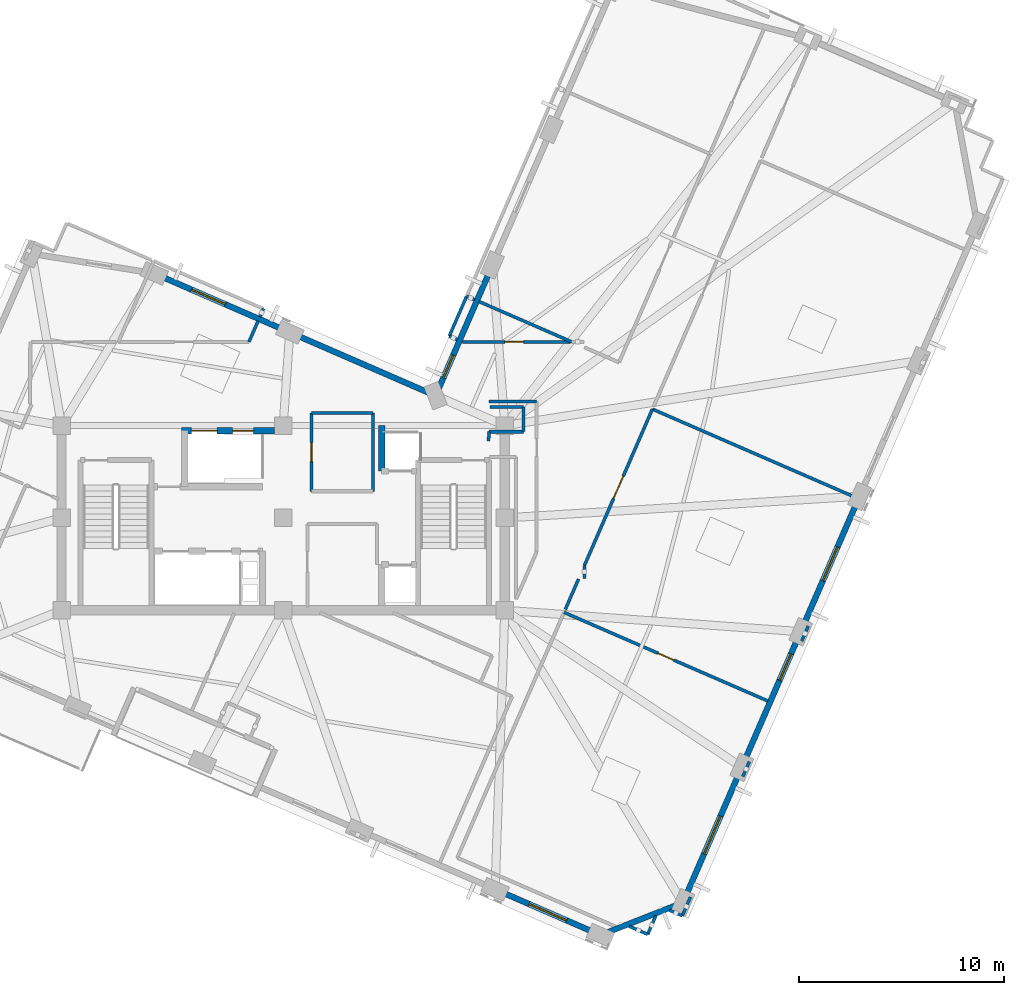
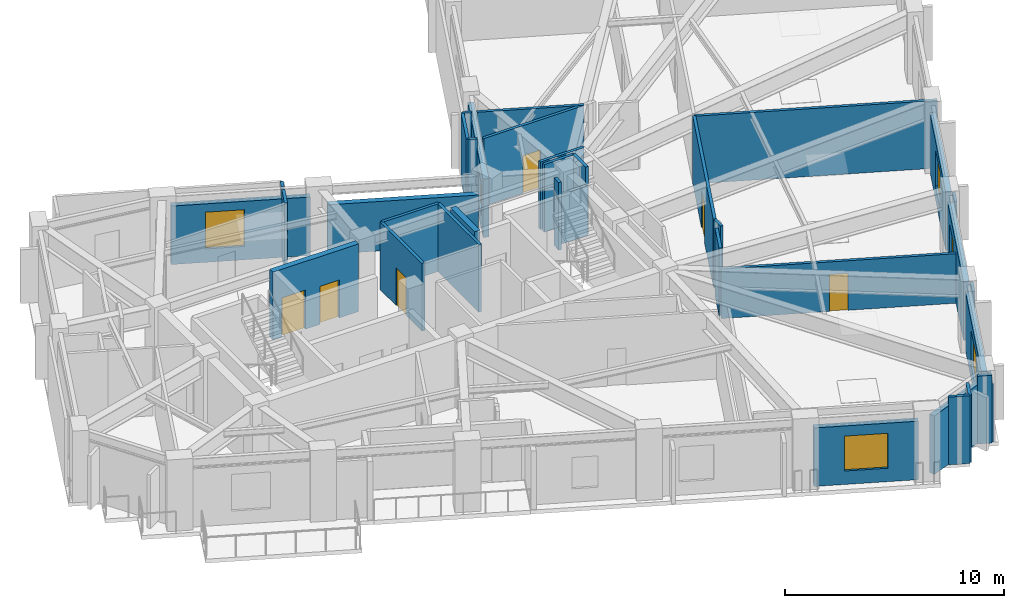
# One storey, part 6 of 12: 36 walls, 6 doors, 6 windows, 12 openings.
"""IFC4 building model written with IfcOpenShell, lengths in metres."""

from ifc_helpers import new_model, si_unit, direction, frame, frame_2d, origin, place, context, subcontext, project, spatial, rectangle, extrude, material, layer, layer_set, type_object, element, fill, save


model = new_model("IFC4")

# Units and contexts
model_context = context("Model", 3, precision=1e-05, world=origin(), true_north=direction((0.0, 1.0)))
body_context = subcontext(model_context, "Body", "Model", "MODEL_VIEW")
ifc_project = project(units=[si_unit("LENGTHUNIT", "METRE"), si_unit("AREAUNIT", "SQUARE_METRE"), si_unit("VOLUMEUNIT", "CUBIC_METRE"), si_unit("PLANEANGLEUNIT", "RADIAN"), si_unit("MASSUNIT", "GRAM", prefix="KILO")], contexts=[model_context])

# Site, building, storey
site_placement = place(None, origin())
site = spatial("IfcSite", under=ifc_project, at=site_placement, CompositionType="ELEMENT")
building_placement = place(site_placement, origin())
building = spatial("IfcBuilding", under=site, at=building_placement, Name="Gaonmaruhae Medical Tower", CompositionType="ELEMENT")
storey_placement = place(building_placement, frame((0.0, 0.0, 312.60009765625)))
storey = spatial("IfcBuildingStorey", under=building, at=storey_placement, Name="L75", CompositionType="ELEMENT", Elevation=312.60009765625)

# Wall, opening, window
ifc_material_1 = material(Name="Precast concrete C45/55", Category="concrete")
ifc_layer_1 = layer(ifc_material_1, 0.280029296875)
ifc_layer_set_1 = layer_set([ifc_layer_1], Name="Precast concrete C45/55")
wall_type_1 = type_object("IfcWallType", Name="EW-280 Upper Precast Masonry-Frame Facade Wall", PredefinedType="SOLIDWALL", material=ifc_layer_set_1)
wall_1_placement = place(storey_placement, frame((46.987548828125, -0.210205078125, 0.0), z_axis=(0.0, 0.0, 1.0), x_axis=(-0.398744230651, -0.917062178112, 0.0)))
wall_1 = element("IfcWall", 1, at=wall_1_placement, inside=storey, type_object=wall_type_1, Name="L75 Precast Masonry-Frame Wall S01-S02", PredefinedType="SOLIDWALL", context=body_context, shape_type="SweptSolid", body=[
    extrude(rectangle(XDim=6.405029296875, YDim=0.280029296875, at=frame_2d((3.20263671875, 0.0))), origin(), (0.0, 0.0, 1.0), 3.264892578125),
])
opening_1_placement = place(wall_1_placement, frame((2.202392578125, 0.0, 0.75)))
opening_1 = element("IfcOpeningElement", 2, at=opening_1_placement, cuts=wall_1, Name="Opening WN-02", PredefinedType="OPENING", context=body_context, shape_type="SweptSolid", body=[
    extrude(rectangle(XDim=2.0, YDim=1.949951171875, at=frame_2d((1.0, 0.97509765625))), frame((0.0, 0.14990234375, 0.0), z_axis=(0.0, -1.0, 0.0), x_axis=(1.0, 0.0, 0.0)), (0.0, 0.0, 1.0), 0.300048828125),
])
ifc_material_2 = material(Name="Anodised aluminium and Low-E double glazing", Category="aluminium")
window_type_1 = type_object("IfcWindowType", Name="WN-02 Double-Bed Ward Punched Window 2000x1950", PartitioningType="SINGLE_PANEL", PredefinedType="WINDOW", material=ifc_material_2)
window_1_placement = place(opening_1_placement, origin())
window_1 = element("IfcWindow", 3, at=window_1_placement, inside=storey, type_object=window_type_1, Name="L75 Modular Facade Window S01", OverallHeight=1.949951171875, OverallWidth=2.0, PartitioningType="SINGLE_PANEL", PredefinedType="WINDOW", context=body_context, shape_type="SweptSolid", body=[
    extrude(rectangle(XDim=2.0, YDim=1.949951171875, at=frame_2d((1.0, 0.97509765625))), frame((0.0, 0.030029296875, 0.0), z_axis=(0.0, -1.0, 0.0), x_axis=(1.0, 0.0, 0.0)), (0.0, 0.0, 1.0), 0.06005859375),
])
fill(opening_1, window_1)

wall_2_placement = place(storey_placement, frame((49.858642578125, 6.392578125, 0.0), z_axis=(0.0, 0.0, 1.0), x_axis=(-0.398758169539, -0.917056117272, 0.0)))
wall_2 = element("IfcWall", 4, at=wall_2_placement, inside=storey, type_object=wall_type_1, Name="L75 Precast Masonry-Frame Wall S02-S03", PredefinedType="SOLIDWALL", context=body_context, shape_type="SweptSolid", body=[
    extrude(rectangle(XDim=6.40478515625, YDim=0.280029296875, at=frame_2d((3.202392578125, 0.0))), origin(), (0.0, 0.0, 1.0), 3.264892578125),
])
opening_2_placement = place(wall_2_placement, frame((0.78369140625, 0.0, 0.75)))
opening_2 = element("IfcOpeningElement", 5, at=opening_2_placement, cuts=wall_2, Name="Opening WN-03", PredefinedType="OPENING", context=body_context, shape_type="SweptSolid", body=[
    extrude(rectangle(XDim=1.39990234375, YDim=1.85009765625, at=frame_2d((0.699951171875, 0.925048828125))), frame((0.0, 0.14990234375, 0.0), z_axis=(0.0, -1.0, 0.0), x_axis=(1.0, 0.0, 0.0)), (0.0, 0.0, 1.0), 0.300048828125),
])
window_type_2 = type_object("IfcWindowType", Name="WN-03 Isolation Ward Punched Window 1400x1850", PartitioningType="SINGLE_PANEL", PredefinedType="WINDOW", material=ifc_material_2)
window_2_placement = place(opening_2_placement, origin())
window_2 = element("IfcWindow", 6, at=window_2_placement, inside=storey, type_object=window_type_2, Name="L75 Modular Facade Window S02", OverallHeight=1.85009765625, OverallWidth=1.39990234375, PartitioningType="SINGLE_PANEL", PredefinedType="WINDOW", context=body_context, shape_type="SweptSolid", body=[
    extrude(rectangle(XDim=1.39990234375, YDim=1.85009765625, at=frame_2d((0.699951171875, 0.925048828125))), frame((0.0, 0.030029296875, 0.0), z_axis=(0.0, -1.0, 0.0), x_axis=(1.0, 0.0, 0.0)), (0.0, 0.0, 1.0), 0.06005859375),
])
fill(opening_2, window_2)

wall_3_placement = place(storey_placement, frame((52.7294921875, 12.99560546875, 0.0), z_axis=(0.0, 0.0, 1.0), x_axis=(-0.398744230651, -0.917062178112, 0.0)))
wall_3 = element("IfcWall", 7, at=wall_3_placement, inside=storey, type_object=wall_type_1, Name="L75 Precast Masonry-Frame Wall S03-S04", PredefinedType="SOLIDWALL", context=body_context, shape_type="SweptSolid", body=[
    extrude(rectangle(XDim=6.405029296875, YDim=0.280029296875, at=frame_2d((3.20263671875, 0.0))), origin(), (0.0, 0.0, 1.0), 3.264892578125),
])
opening_3_placement = place(wall_3_placement, frame((2.302490234375, 0.0, 0.75)))
opening_3 = element("IfcOpeningElement", 8, at=opening_3_placement, cuts=wall_3, Name="Opening WN-04", PredefinedType="OPENING", context=body_context, shape_type="SweptSolid", body=[
    extrude(rectangle(XDim=1.800048828125, YDim=2.050048828125, at=frame_2d((0.89990234375, 1.02490234375))), frame((0.0, 0.14990234375, 0.0), z_axis=(0.0, -1.0, 0.0), x_axis=(1.0, 0.0, 0.0)), (0.0, 0.0, 1.0), 0.300048828125),
])
window_type_3 = type_object("IfcWindowType", Name="WN-04 Clinic & Consult Punched Window 1800x2050", PartitioningType="SINGLE_PANEL", PredefinedType="WINDOW", material=ifc_material_2)
window_3_placement = place(opening_3_placement, origin())
window_3 = element("IfcWindow", 9, at=window_3_placement, inside=storey, type_object=window_type_3, Name="L75 Modular Facade Window S03", OverallHeight=2.050048828125, OverallWidth=1.800048828125, PartitioningType="SINGLE_PANEL", PredefinedType="WINDOW", context=body_context, shape_type="SweptSolid", body=[
    extrude(rectangle(XDim=1.800048828125, YDim=2.050048828125, at=frame_2d((0.89990234375, 1.02490234375))), frame((0.0, 0.030029296875, 0.0), z_axis=(0.0, -1.0, 0.0), x_axis=(1.0, 0.0, 0.0)), (0.0, 0.0, 1.0), 0.06005859375),
])
fill(opening_3, window_3)

wall_4_placement = place(storey_placement, frame((32.384765625, 18.619384765625, 0.0), z_axis=(0.0, 0.0, 1.0), x_axis=(0.398753668733, 0.917058074318, 0.0)))
wall_4 = element("IfcWall", 10, at=wall_4_placement, inside=storey, type_object=wall_type_1, Name="L75 Precast Masonry-Frame Wall EN02-KN01", PredefinedType="SOLIDWALL", context=body_context, shape_type="SweptSolid", body=[
    extrude(rectangle(XDim=6.155029296875, YDim=0.280029296875, at=frame_2d((3.07763671875, 0.0))), origin(), (0.0, 0.0, 1.0), 3.264892578125),
])
opening_4_placement = place(wall_4_placement, frame((0.561279296875, 0.0, 0.75)))
opening_4 = element("IfcOpeningElement", 11, at=opening_4_placement, cuts=wall_4, Name="Opening WN-05", PredefinedType="OPENING", context=body_context, shape_type="SweptSolid", body=[
    extrude(rectangle(XDim=1.199951171875, YDim=1.75, at=frame_2d((0.60009765625, 0.875))), frame((0.0, 0.14990234375, 0.0), z_axis=(0.0, -1.0, 0.0), x_axis=(1.0, 0.0, 0.0)), (0.0, 0.0, 1.0), 0.300048828125),
])
window_type_4 = type_object("IfcWindowType", Name="WN-05 Support & Staff Punched Window 1200x1750", PartitioningType="SINGLE_PANEL", PredefinedType="WINDOW", material=ifc_material_2)
window_4_placement = place(opening_4_placement, origin())
window_4 = element("IfcWindow", 12, at=window_4_placement, inside=storey, type_object=window_type_4, Name="L75 Modular Facade Window EN02", OverallHeight=1.75, OverallWidth=1.199951171875, PartitioningType="SINGLE_PANEL", PredefinedType="WINDOW", context=body_context, shape_type="SweptSolid", body=[
    extrude(rectangle(XDim=1.199951171875, YDim=1.75, at=frame_2d((0.60009765625, 0.875))), frame((0.0, 0.030029296875, 0.0), z_axis=(0.0, -1.0, 0.0), x_axis=(1.0, 0.0, 0.0)), (0.0, 0.0, 1.0), 0.06005859375),
])
fill(opening_4, window_4)

# Wall
wall_5_placement = place(storey_placement, frame((25.483642578125, 21.186767578125, 0.0), z_axis=(0.0, 0.0, 1.0), x_axis=(0.917060568388, -0.398747932794, 0.0)))
element("IfcWall", 13, at=wall_5_placement, inside=storey, type_object=wall_type_1, Name="L75 Precast Masonry-Frame Wall KN01-NE01", PredefinedType="SOLIDWALL", context=body_context, shape_type="SweptSolid", body=[
    extrude(rectangle(XDim=6.954833984375, YDim=0.280029296875, at=frame_2d((3.4775390625, 0.0))), origin(), (0.0, 0.0, 1.0), 2.764892578125),
])

# Wall, opening, window
wall_6_placement = place(storey_placement, frame((18.880859375, 24.0576171875, 0.0), z_axis=(0.0, 0.0, 1.0), x_axis=(0.917070056253, -0.398726111414, 0.0)))
wall_6 = element("IfcWall", 14, at=wall_6_placement, inside=storey, type_object=wall_type_1, Name="L75 Precast Masonry-Frame Wall NE01-NE02", PredefinedType="SOLIDWALL", context=body_context, shape_type="SweptSolid", body=[
    extrude(rectangle(XDim=6.40478515625, YDim=0.280029296875, at=frame_2d((3.202392578125, 0.0))), origin(), (0.0, 0.0, 1.0), 3.264892578125),
])
opening_5_placement = place(wall_6_placement, frame((1.57861328125, 0.0, 0.75)))
opening_5 = element("IfcOpeningElement", 15, at=opening_5_placement, cuts=wall_6, Name="Opening WN-04", PredefinedType="OPENING", context=body_context, shape_type="SweptSolid", body=[
    extrude(rectangle(XDim=1.800048828125, YDim=2.050048828125, at=frame_2d((0.89990234375, 1.02490234375))), frame((0.0, 0.14990234375, 0.0), z_axis=(0.0, -1.0, 0.0), x_axis=(1.0, 0.0, 0.0)), (0.0, 0.0, 1.0), 0.300048828125),
])
window_5_placement = place(opening_5_placement, origin())
window_5 = element("IfcWindow", 16, at=window_5_placement, inside=storey, type_object=window_type_3, Name="L75 Modular Facade Window NE01", OverallHeight=2.050048828125, OverallWidth=1.800048828125, PartitioningType="SINGLE_PANEL", PredefinedType="WINDOW", context=body_context, shape_type="SweptSolid", body=[
    extrude(rectangle(XDim=1.800048828125, YDim=2.050048828125, at=frame_2d((0.89990234375, 1.02490234375))), frame((0.0, 0.030029296875, 0.0), z_axis=(0.0, -1.0, 0.0), x_axis=(1.0, 0.0, 0.0)), (0.0, 0.0, 1.0), 0.06005859375),
])
fill(opening_5, window_5)

wall_7_placement = place(storey_placement, frame((39.897216796875, -7.870849609375, 0.0), z_axis=(0.0, 0.0, 1.0), x_axis=(-0.917050667534, 0.398770702505, 0.0)))
wall_7 = element("IfcWall", 17, at=wall_7_placement, inside=storey, type_object=wall_type_1, Name="L75 Precast Masonry-Frame Wall W05-W06", PredefinedType="SOLIDWALL", context=body_context, shape_type="SweptSolid", body=[
    extrude(rectangle(XDim=4.8046875, YDim=0.280029296875, at=frame_2d((2.40234375, 0.0))), origin(), (0.0, 0.0, 1.0), 3.264892578125),
])
opening_6_placement = place(wall_7_placement, frame((1.402587890625, 0.0, 0.75)))
opening_6 = element("IfcOpeningElement", 18, at=opening_6_placement, cuts=wall_7, Name="Opening WN-02", PredefinedType="OPENING", context=body_context, shape_type="SweptSolid", body=[
    extrude(rectangle(XDim=2.0, YDim=1.949951171875, at=frame_2d((1.0, 0.97509765625))), frame((0.0, 0.14990234375, 0.0), z_axis=(0.0, -1.0, 0.0), x_axis=(1.0, 0.0, 0.0)), (0.0, 0.0, 1.0), 0.300048828125),
])
window_6_placement = place(opening_6_placement, origin())
window_6 = element("IfcWindow", 19, at=window_6_placement, inside=storey, type_object=window_type_1, Name="L75 Modular Facade Window W05", OverallHeight=1.949951171875, OverallWidth=2.0, PartitioningType="SINGLE_PANEL", PredefinedType="WINDOW", context=body_context, shape_type="SweptSolid", body=[
    extrude(rectangle(XDim=2.0, YDim=1.949951171875, at=frame_2d((1.0, 0.97509765625))), frame((0.0, 0.030029296875, 0.0), z_axis=(0.0, -1.0, 0.0), x_axis=(1.0, 0.0, 0.0)), (0.0, 0.0, 1.0), 0.06005859375),
])
fill(opening_6, window_6)

# Wall
wall_8_placement = place(storey_placement, frame((43.9052734375, -6.593994140625, 0.0), z_axis=(0.0, 0.0, 1.0), x_axis=(-0.930406958637, -0.366528158974, 0.0)))
element("IfcWall", 20, at=wall_8_placement, inside=storey, type_object=wall_type_1, Name="L75 Precast Masonry-Frame Wall W06-S01", PredefinedType="SOLIDWALL", context=body_context, shape_type="SweptSolid", body=[
    extrude(rectangle(XDim=3.518310546875, YDim=0.280029296875, at=frame_2d((1.75927734375, 0.0))), origin(), (0.0, 0.0, 1.0), 3.264892578125),
])

# Wall, opening, door
ifc_material_3 = material(Name="Gypsum board partition", Category="gypsum")
ifc_layer_2 = layer(ifc_material_3, 0.14990234375)
ifc_layer_set_2 = layer_set([ifc_layer_2], Name="Gypsum board partition")
wall_type_2 = type_object("IfcWallType", Name="PW-150 Rated Clinical Corridor Partition", PredefinedType="PARTITIONING", material=ifc_layer_set_2)
wall_9_placement = place(storey_placement, frame((26.179931640625, 13.60009765625, 0.0), z_axis=(0.0, 0.0, 1.0), x_axis=(0.0, 1.0, 0.0)))
wall_9 = element("IfcWall", 21, at=wall_9_placement, inside=storey, type_object=wall_type_2, Name="L75 Interior Partition L75-RCL2-4", PredefinedType="PARTITIONING", context=body_context, shape_type="SweptSolid", body=[
    extrude(rectangle(XDim=3.81982421875, YDim=0.14990234375, at=frame_2d((1.909912109375, 0.0))), origin(), (0.0, 0.0, 1.0), 3.77978515625),
])
opening_7_placement = place(wall_9_placement, frame((1.449951171875, 0.0, 0.0)))
opening_7 = element("IfcOpeningElement", 22, at=opening_7_placement, cuts=wall_9, Name="Opening UD-01", PredefinedType="OPENING", context=body_context, shape_type="SweptSolid", body=[
    extrude(rectangle(XDim=0.919921875, YDim=2.10009765625, at=frame_2d((0.4599609375, 1.050048828125))), frame((0.0, 0.0849609375, 0.0), z_axis=(0.0, -1.0, 0.0), x_axis=(1.0, 0.0, 0.0)), (0.0, 0.0, 1.0), 0.169921875),
])
ifc_material_4 = material(Name="Powder-coated steel utility door", Category="steel")
door_type_1 = type_object("IfcDoorType", Name="UD-01 Toilet, Utility & Housekeeping Door 920x2100", OperationType="NOTDEFINED", PredefinedType="DOOR", material=ifc_material_4)
door_1_placement = place(opening_7_placement, origin())
door_1 = element("IfcDoor", 23, at=door_1_placement, inside=storey, type_object=door_type_1, Name="L75 Accessible Staff Toilet Door", OperationType="SINGLE_SWING_LEFT", OverallHeight=2.10009765625, OverallWidth=0.919921875, PredefinedType="DOOR", context=body_context, shape_type="SweptSolid", body=[
    extrude(rectangle(XDim=0.919921875, YDim=2.10009765625, at=frame_2d((0.4599609375, 1.050048828125))), frame((0.0, 0.02490234375, 0.0), z_axis=(0.0, -1.0, 0.0), x_axis=(1.0, 0.0, 0.0)), (0.0, 0.0, 1.0), 0.050048828125),
])
fill(opening_7, door_1)

# Walls
wall_10_placement = place(storey_placement, frame((26.179931640625, 17.419921875, 0.0), z_axis=(0.0, 0.0, 1.0), x_axis=(1.0, 0.0, 0.0)))
element("IfcWall", 24, at=wall_10_placement, inside=storey, type_object=wall_type_2, Name="L75 Interior Partition L75-RCL2-5", PredefinedType="PARTITIONING", context=body_context, shape_type="SweptSolid", body=[
    extrude(rectangle(XDim=3.0, YDim=0.14990234375, at=frame_2d((1.5, 0.0))), origin(), (0.0, 0.0, 1.0), 3.77978515625),
])
wall_11_placement = place(storey_placement, frame((29.179931640625, 17.419921875, 0.0), z_axis=(0.0, 0.0, 1.0), x_axis=(0.0, -1.0, 0.0)))
element("IfcWall", 25, at=wall_11_placement, inside=storey, type_object=wall_type_2, Name="L75 Interior Partition L75-RCL2-6", PredefinedType="PARTITIONING", context=body_context, shape_type="SweptSolid", body=[
    extrude(rectangle(XDim=3.81982421875, YDim=0.14990234375, at=frame_2d((1.909912109375, 0.0))), origin(), (0.0, 0.0, 1.0), 3.77978515625),
])
wall_12_placement = place(storey_placement, frame((42.56689453125, -7.9951171875, 0.0), z_axis=(0.0, 0.0, 1.0), x_axis=(-0.917188054541, 0.398454605454, 0.0)))
element("IfcWall", 26, at=wall_12_placement, inside=storey, type_object=wall_type_2, Name="L75 Interior Partition L75-SUP01-8", PredefinedType="PARTITIONING", context=body_context, shape_type="SweptSolid", body=[
    extrude(rectangle(XDim=0.986572265625, YDim=0.14990234375, at=frame_2d((0.4931640625, 0.0))), origin(), (0.0, 0.0, 1.0), 3.77978515625),
])

# Wall, opening, door
wall_13_placement = place(storey_placement, frame((38.486083984375, 7.697998046875, 0.0), z_axis=(0.0, 0.0, 1.0), x_axis=(0.917068265028, -0.398730231207, 0.0)))
wall_13 = element("IfcWall", 27, at=wall_13_placement, inside=storey, type_object=wall_type_2, Name="L75 Interior Partition L75-SUP01-11", PredefinedType="PARTITIONING", context=body_context, shape_type="SweptSolid", body=[
    extrude(rectangle(XDim=10.83447265625, YDim=0.14990234375, at=frame_2d((5.417236328125, 0.0))), origin(), (0.0, 0.0, 1.0), 2.764892578125),
])
opening_8_placement = place(wall_13_placement, frame((4.9873046875, 0.0, 0.0)))
opening_8 = element("IfcOpeningElement", 28, at=opening_8_placement, cuts=wall_13, Name="Opening AD-01", PredefinedType="OPENING", context=body_context, shape_type="SweptSolid", body=[
    extrude(rectangle(XDim=0.860107421875, YDim=2.06005859375, at=frame_2d((0.43017578125, 1.030029296875))), frame((0.0, 0.0849609375, 0.0), z_axis=(0.0, -1.0, 0.0), x_axis=(1.0, 0.0, 0.0)), (0.0, 0.0, 1.0), 0.169921875),
])
ifc_material_5 = material(Name="Powder-coated steel access door", Category="steel")
door_type_2 = type_object("IfcDoorType", Name="AD-01 Riser & Closet Access Fire Door 860x2060", OperationType="NOTDEFINED", PredefinedType="DOOR", material=ifc_material_5)
door_2_placement = place(opening_8_placement, origin())
door_2 = element("IfcDoor", 29, at=door_2_placement, inside=storey, type_object=door_type_2, Name="L75 Clinical Biomedical Charting Office Sliding Door", OperationType="SLIDING_TO_LEFT", OverallHeight=2.06005859375, OverallWidth=0.860107421875, PredefinedType="DOOR", context=body_context, shape_type="SweptSolid", body=[
    extrude(rectangle(XDim=0.860107421875, YDim=2.06005859375, at=frame_2d((0.43017578125, 1.030029296875))), frame((0.0, 0.02490234375, 0.0), z_axis=(0.0, -1.0, 0.0), x_axis=(1.0, 0.0, 0.0)), (0.0, 0.0, 1.0), 0.050048828125),
])
fill(opening_8, door_2)

# Walls
wall_14_placement = place(storey_placement, frame((47.51611328125, 0.427001953125, 0.0), z_axis=(0.0, 0.0, 1.0), x_axis=(-0.398916999953, -0.916987037612, 0.0)))
element("IfcWall", 30, at=wall_14_placement, inside=storey, type_object=wall_type_2, Name="L75 Interior Partition L75-SUP01-12", PredefinedType="PARTITIONING", context=body_context, shape_type="SweptSolid", body=[
    extrude(rectangle(XDim=0.794921875, YDim=0.14990234375, at=frame_2d((0.3974609375, 0.0))), origin(), (0.0, 0.0, 1.0), 3.264892578125),
])
wall_15_placement = place(storey_placement, frame((44.64501953125, -6.176025390625, 0.0), z_axis=(0.0, 0.0, 1.0), x_axis=(-0.399173799485, -0.916875279307, 0.0)))
element("IfcWall", 31, at=wall_15_placement, inside=storey, type_object=wall_type_2, Name="L75 Interior Partition L75-SUP01-13", PredefinedType="PARTITIONING", context=body_context, shape_type="SweptSolid", body=[
    extrude(rectangle(XDim=0.996826171875, YDim=0.14990234375, at=frame_2d((0.49853515625, 0.0))), origin(), (0.0, 0.0, 1.0), 3.264892578125),
])
wall_16_placement = place(storey_placement, frame((44.2470703125, -7.090087890625, 0.0), z_axis=(0.0, 0.0, 1.0), x_axis=(-0.917070056253, 0.398726111414, 0.0)))
element("IfcWall", 32, at=wall_16_placement, inside=storey, type_object=wall_type_2, Name="L75 Interior Partition L75-SUP01-14", PredefinedType="PARTITIONING", context=body_context, shape_type="SweptSolid", body=[
    extrude(rectangle(XDim=0.66748046875, YDim=0.14990234375, at=frame_2d((0.333740234375, 0.0))), origin(), (0.0, 0.0, 1.0), 3.77978515625),
])
wall_17_placement = place(storey_placement, frame((42.9609375, -7.090087890625, 0.0), z_axis=(0.0, 0.0, 1.0), x_axis=(-0.399196346623, -0.916865462782, 0.0)))
element("IfcWall", 33, at=wall_17_placement, inside=storey, type_object=wall_type_2, Name="L75 Interior Partition L75-SUP01-15", PredefinedType="PARTITIONING", context=body_context, shape_type="SweptSolid", body=[
    extrude(rectangle(XDim=0.987060546875, YDim=0.14990234375, at=frame_2d((0.49365234375, 0.0))), origin(), (0.0, 0.0, 1.0), 3.77978515625),
])
wall_18_placement = place(storey_placement, frame((39.47998046875, 9.35009765625, 0.0), z_axis=(0.0, 0.0, 1.0), x_axis=(0.0, 1.0, 0.0)))
element("IfcWall", 34, at=wall_18_placement, inside=storey, type_object=wall_type_2, Name="L75 Interior Partition L75-SUP02-16", PredefinedType="PARTITIONING", context=body_context, shape_type="SweptSolid", body=[
    extrude(rectangle(XDim=0.6337890625, YDim=0.14990234375, at=frame_2d((0.31689453125, 0.0))), origin(), (0.0, 0.0, 1.0), 3.77978515625),
])

# Wall, opening, door
wall_19_placement = place(storey_placement, frame((39.47998046875, 9.98388671875, 0.0), z_axis=(0.0, 0.0, 1.0), x_axis=(0.398659488131, 0.917099020021, 0.0)))
wall_19 = element("IfcWall", 35, at=wall_19_placement, inside=storey, type_object=wall_type_2, Name="L75 Interior Partition L75-SUP02-17", PredefinedType="PARTITIONING", context=body_context, shape_type="SweptSolid", body=[
    extrude(rectangle(XDim=8.307861328125, YDim=0.14990234375, at=frame_2d((4.15380859375, 0.0))), origin(), (0.0, 0.0, 1.0), 3.77978515625),
])
opening_9_placement = place(wall_19_placement, frame((3.553955078125, 0.0, 0.0)))
opening_9 = element("IfcOpeningElement", 36, at=opening_9_placement, cuts=wall_19, Name="Opening CD-02", PredefinedType="OPENING", context=body_context, shape_type="SweptSolid", body=[
    extrude(rectangle(XDim=1.199951171875, YDim=2.14990234375, at=frame_2d((0.60009765625, 1.074951171875))), frame((0.0, 0.0849609375, 0.0), z_axis=(0.0, -1.0, 0.0), x_axis=(1.0, 0.0, 0.0)), (0.0, 0.0, 1.0), 0.169921875),
])
ifc_material_6 = material(Name="Antimicrobial laminate timber fire door", Category="wood")
door_type_3 = type_object("IfcDoorType", Name="CD-02 Clinical Treatment & Procedure Door 1200x2150", OperationType="NOTDEFINED", PredefinedType="DOOR", material=ifc_material_6)
door_3_placement = place(opening_9_placement, origin())
door_3 = element("IfcDoor", 37, at=door_3_placement, inside=storey, type_object=door_type_3, Name="L75 Clinical Biomedical Charting Office Door", OperationType="SINGLE_SWING_RIGHT", OverallHeight=2.14990234375, OverallWidth=1.199951171875, PredefinedType="DOOR", context=body_context, shape_type="SweptSolid", body=[
    extrude(rectangle(XDim=1.199951171875, YDim=2.14990234375, at=frame_2d((0.60009765625, 1.074951171875))), frame((0.0, 0.02490234375, 0.0), z_axis=(0.0, -1.0, 0.0), x_axis=(1.0, 0.0, 0.0)), (0.0, 0.0, 1.0), 0.050048828125),
])
fill(opening_9, door_3)

# Walls
wall_20_placement = place(storey_placement, frame((42.7919921875, 17.60302734375, 0.0), z_axis=(0.0, 0.0, 1.0), x_axis=(0.917063112739, -0.398742081117, 0.0)))
element("IfcWall", 38, at=wall_20_placement, inside=storey, type_object=wall_type_2, Name="L75 Interior Partition L75-SUP02-18", PredefinedType="PARTITIONING", context=body_context, shape_type="SweptSolid", body=[
    extrude(rectangle(XDim=11.18017578125, YDim=0.14990234375, at=frame_2d((5.590087890625, 0.0))), origin(), (0.0, 0.0, 1.0), 3.77978515625),
])
wall_21_placement = place(storey_placement, frame((50.385986328125, 7.030029296875, 0.0), z_axis=(0.0, 0.0, 1.0), x_axis=(-0.398658726612, -0.91709935105, 0.0)))
element("IfcWall", 39, at=wall_21_placement, inside=storey, type_object=wall_type_2, Name="L75 Interior Partition L75-SUP02-19", PredefinedType="PARTITIONING", context=body_context, shape_type="SweptSolid", body=[
    extrude(rectangle(XDim=0.794921875, YDim=0.14990234375, at=frame_2d((0.3974609375, 0.0))), origin(), (0.0, 0.0, 1.0), 3.264892578125),
])
wall_22_placement = place(storey_placement, frame((38.550048828125, 7.844970703125, 0.0), z_axis=(0.0, 0.0, 1.0), x_axis=(0.398476313607, 0.917178623548, 0.0)))
element("IfcWall", 40, at=wall_22_placement, inside=storey, type_object=wall_type_2, Name="L75 Interior Partition L75-SUP02-20", PredefinedType="PARTITIONING", context=body_context, shape_type="SweptSolid", body=[
    extrude(rectangle(XDim=1.6083984375, YDim=0.14990234375, at=frame_2d((0.80419921875, 0.0))), origin(), (0.0, 0.0, 1.0), 3.77978515625),
])
wall_23_placement = place(storey_placement, frame((34.803955078125, 16.050048828125, 0.0), z_axis=(0.0, 0.0, 1.0), x_axis=(0.077896068279, 0.996961484987, 0.0)))
element("IfcWall", 41, at=wall_23_placement, inside=storey, type_object=wall_type_2, Name="L75 Interior Partition L75-IE01-52", PredefinedType="PARTITIONING", context=body_context, shape_type="SweptSolid", body=[
    extrude(rectangle(XDim=0.451416015625, YDim=0.14990234375, at=frame_2d((0.2255859375, 0.0))), origin(), (0.0, 0.0, 1.0), 3.77978515625),
])
wall_24_placement = place(storey_placement, frame((34.839111328125, 16.5, 0.0), z_axis=(0.0, 0.0, 1.0), x_axis=(1.0, 0.0, 0.0)))
element("IfcWall", 42, at=wall_24_placement, inside=storey, type_object=wall_type_2, Name="L75 Interior Partition L75-IE01-53", PredefinedType="PARTITIONING", context=body_context, shape_type="SweptSolid", body=[
    extrude(rectangle(XDim=1.660888671875, YDim=0.14990234375, at=frame_2d((0.83056640625, 0.0))), origin(), (0.0, 0.0, 1.0), 2.764892578125),
])
wall_25_placement = place(storey_placement, frame((36.5, 16.5, 0.0), z_axis=(0.0, 0.0, 1.0), x_axis=(0.0, 1.0, 0.0)))
element("IfcWall", 43, at=wall_25_placement, inside=storey, type_object=wall_type_2, Name="L75 Interior Partition L75-IE01-54", PredefinedType="PARTITIONING", context=body_context, shape_type="SweptSolid", body=[
    extrude(rectangle(XDim=1.199951171875, YDim=0.14990234375, at=frame_2d((0.60009765625, 0.0))), origin(), (0.0, 0.0, 1.0), 3.77978515625),
])
wall_26_placement = place(storey_placement, frame((36.5, 17.699951171875, 0.0), z_axis=(0.0, 0.0, 1.0), x_axis=(-1.0, 0.0, 0.0)))
element("IfcWall", 44, at=wall_26_placement, inside=storey, type_object=wall_type_2, Name="L75 Interior Partition L75-IE01-55", PredefinedType="PARTITIONING", context=body_context, shape_type="SweptSolid", body=[
    extrude(rectangle(XDim=1.610107421875, YDim=0.14990234375, at=frame_2d((0.80517578125, 0.0))), origin(), (0.0, 0.0, 1.0), 3.77978515625),
])
wall_27_placement = place(storey_placement, frame((34.837890625, 17.969970703125, 0.0), z_axis=(0.0, 0.0, 1.0), x_axis=(1.0, 0.0, 0.0)))
element("IfcWall", 45, at=wall_27_placement, inside=storey, type_object=wall_type_2, Name="L75 Interior Partition L75-IE01-56", PredefinedType="PARTITIONING", context=body_context, shape_type="SweptSolid", body=[
    extrude(rectangle(XDim=2.31201171875, YDim=0.14990234375, at=frame_2d((1.156005859375, 0.0))), origin(), (0.0, 0.0, 1.0), 3.77978515625),
])
wall_28_placement = place(storey_placement, frame((38.860107421875, 20.8798828125, 0.0), z_axis=(0.0, 0.0, 1.0), x_axis=(-0.917036147656, 0.39880409212, 0.0)))
element("IfcWall", 46, at=wall_28_placement, inside=storey, type_object=wall_type_2, Name="L75 Interior Partition L75-IE02-62", PredefinedType="PARTITIONING", context=body_context, shape_type="SweptSolid", body=[
    extrude(rectangle(XDim=4.922607421875, YDim=0.14990234375, at=frame_2d((2.46142578125, 0.0))), origin(), (0.0, 0.0, 1.0), 3.77978515625),
])
wall_29_placement = place(storey_placement, frame((34.135009765625, 22.93408203125, 0.0), z_axis=(0.0, 0.0, 1.0), x_axis=(-0.916748651636, 0.399464528742, 0.0)))
element("IfcWall", 47, at=wall_29_placement, inside=storey, type_object=wall_type_2, Name="L75 Interior Partition L75-IE02-63", PredefinedType="PARTITIONING", context=body_context, shape_type="SweptSolid", body=[
    extrude(rectangle(XDim=0.43505859375, YDim=0.14990234375, at=frame_2d((0.217529296875, 0.0))), origin(), (0.0, 0.0, 1.0), 3.77978515625),
])
wall_30_placement = place(storey_placement, frame((23.839111328125, 22.501953125, 0.0), z_axis=(0.0, 0.0, 1.0), x_axis=(-0.399935888769, -0.916543116757, 0.0)))
element("IfcWall", 48, at=wall_30_placement, inside=storey, type_object=wall_type_2, Name="L75 Interior Partition L75-IN02-75", PredefinedType="PARTITIONING", context=body_context, shape_type="SweptSolid", body=[
    extrude(rectangle(XDim=0.435302734375, YDim=0.14990234375, at=frame_2d((0.2177734375, 0.0))), origin(), (0.0, 0.0, 1.0), 3.77978515625),
])
wall_31_placement = place(storey_placement, frame((23.573974609375, 21.89208984375, 0.0), z_axis=(0.0, 0.0, 1.0), x_axis=(-0.398612867881, -0.917119284259, 0.0)))
element("IfcWall", 49, at=wall_31_placement, inside=storey, type_object=wall_type_2, Name="L75 Interior Partition L75-IN02-76", PredefinedType="PARTITIONING", context=body_context, shape_type="SweptSolid", body=[
    extrude(rectangle(XDim=1.103759765625, YDim=0.14990234375, at=frame_2d((0.5517578125, 0.0))), origin(), (0.0, 0.0, 1.0), 3.77978515625),
])

# Wall, opening, door
wall_32_placement = place(storey_placement, frame((38.80908203125, 20.8798828125, 0.0), z_axis=(0.0, 0.0, 1.0), x_axis=(-1.0, 0.0, 0.0)))
wall_32 = element("IfcWall", 50, at=wall_32_placement, inside=storey, type_object=wall_type_2, Name="L75 Interior Partition L75-RM03-92", PredefinedType="PARTITIONING", context=body_context, shape_type="SweptSolid", body=[
    extrude(rectangle(XDim=5.27197265625, YDim=0.14990234375, at=frame_2d((2.635986328125, 0.0))), origin(), (0.0, 0.0, 1.0), 3.77978515625),
])
opening_10_placement = place(wall_32_placement, frame((2.289794921875, 0.0, 0.0)))
opening_10 = element("IfcOpeningElement", 51, at=opening_10_placement, cuts=wall_32, Name="Opening UD-01", PredefinedType="OPENING", context=body_context, shape_type="SweptSolid", body=[
    extrude(rectangle(XDim=0.919921875, YDim=2.10009765625, at=frame_2d((0.4599609375, 1.050048828125))), frame((0.0, 0.0849609375, 0.0), z_axis=(0.0, -1.0, 0.0), x_axis=(1.0, 0.0, 0.0)), (0.0, 0.0, 1.0), 0.169921875),
])
door_4_placement = place(opening_10_placement, origin())
door_4 = element("IfcDoor", 52, at=door_4_placement, inside=storey, type_object=door_type_1, Name="L75 Biomedical Mobile Equipment Bay Door", OperationType="SINGLE_SWING_LEFT", OverallHeight=2.10009765625, OverallWidth=0.919921875, PredefinedType="DOOR", context=body_context, shape_type="SweptSolid", body=[
    extrude(rectangle(XDim=0.919921875, YDim=2.10009765625, at=frame_2d((0.4599609375, 1.050048828125))), frame((0.0, 0.02490234375, 0.0), z_axis=(0.0, -1.0, 0.0), x_axis=(1.0, 0.0, 0.0)), (0.0, 0.0, 1.0), 0.050048828125),
])
fill(opening_10, door_4)

# Walls
wall_33_placement = place(storey_placement, frame((33.2890625, 20.988037109375, 0.0), z_axis=(0.0, 0.0, 1.0), x_axis=(-0.917657976039, 0.397371160267, 0.0)))
element("IfcWall", 53, at=wall_33_placement, inside=storey, type_object=wall_type_2, Name="L75 Interior Partition L75-RM03-93", PredefinedType="PARTITIONING", context=body_context, shape_type="SweptSolid", body=[
    extrude(rectangle(XDim=0.43505859375, YDim=0.14990234375, at=frame_2d((0.217529296875, 0.0))), origin(), (0.0, 0.0, 1.0), 3.77978515625),
])
wall_34_placement = place(storey_placement, frame((32.889892578125, 21.160888671875, 0.0), z_axis=(0.0, 0.0, 1.0), x_axis=(0.399027500697, 0.91693895854, 0.0)))
element("IfcWall", 54, at=wall_34_placement, inside=storey, type_object=wall_type_2, Name="L75 Interior Partition L75-RM03-94", PredefinedType="PARTITIONING", context=body_context, shape_type="SweptSolid", body=[
    extrude(rectangle(XDim=2.102783203125, YDim=0.14990234375, at=frame_2d((1.05126953125, 0.0))), origin(), (0.0, 0.0, 1.0), 3.77978515625),
])

# Wall, openings, doors
ifc_material_7 = material(Name="Concrete C50/60", Category="concrete")
ifc_layer_3 = layer(ifc_material_7, 0.300048828125)
ifc_layer_set_3 = layer_set([ifc_layer_3], Name="Concrete C50/60")
wall_type_3 = type_object("IfcWallType", Name="SW-300 Stair & Lift Hoistway Shaft Wall", PredefinedType="SOLIDWALL", material=ifc_layer_set_3)
wall_35_placement = place(storey_placement, frame((19.85009765625, 16.550048828125, 0.0), z_axis=(0.0, 0.0, 1.0), x_axis=(1.0, 0.0, 0.0)))
wall_35 = element("IfcWall", 55, at=wall_35_placement, inside=storey, type_object=wall_type_3, Name="L75 Core Shear Wall CSW-NB", PredefinedType="SOLIDWALL", context=body_context, shape_type="SweptSolid", body=[
    extrude(rectangle(XDim=4.52490234375, YDim=0.300048828125, at=frame_2d((2.262451171875, 0.0))), origin(), (0.0, 0.0, 1.0), 3.77978515625),
])
opening_11_placement = place(wall_35_placement, frame((0.47509765625, 0.0, 0.0)))
opening_11 = element("IfcOpeningElement", 56, at=opening_11_placement, cuts=wall_35, Name="Opening LD-F1", PredefinedType="OPENING", context=body_context, shape_type="SweptSolid", body=[
    extrude(rectangle(XDim=1.25, YDim=2.179931640625, at=frame_2d((0.625, 1.08984375))), frame((0.0, 0.16015625, 0.0), z_axis=(0.0, -1.0, 0.0), x_axis=(1.0, 0.0, 0.0)), (0.0, 0.0, 1.0), 0.320068359375),
])
opening_12_placement = place(wall_35_placement, frame((2.489990234375, 0.0, 0.0)))
opening_12 = element("IfcOpeningElement", 57, at=opening_12_placement, cuts=wall_35, Name="Opening LD-S1", PredefinedType="OPENING", context=body_context, shape_type="SweptSolid", body=[
    extrude(rectangle(XDim=1.02001953125, YDim=2.1201171875, at=frame_2d((0.510009765625, 1.06005859375))), frame((0.0, 0.16015625, 0.0), z_axis=(0.0, -1.0, 0.0), x_axis=(1.0, 0.0, 0.0)), (0.0, 0.0, 1.0), 0.320068359375),
])
ifc_material_8 = material(Name="Brushed stainless steel 316L landing door", Category="steel")
door_type_4 = type_object("IfcDoorType", Name="LD-F1 Firefighting & Bed Lift Sliding Landing Door 1250x2180", OperationType="NOTDEFINED", PredefinedType="DOOR", material=ifc_material_8)
door_5_placement = place(opening_11_placement, origin())
door_5 = element("IfcDoor", 58, at=door_5_placement, inside=storey, type_object=door_type_4, Name="L75 Service/Bed Lift Landing Door BDL-01", OperationType="DOUBLE_DOOR_SLIDING", OverallHeight=2.179931640625, OverallWidth=1.25, PredefinedType="DOOR", context=body_context, shape_type="SweptSolid", body=[
    extrude(rectangle(XDim=1.25, YDim=2.179931640625, at=frame_2d((0.625, 1.08984375))), frame((0.0, 0.02490234375, 0.0), z_axis=(0.0, -1.0, 0.0), x_axis=(1.0, 0.0, 0.0)), (0.0, 0.0, 1.0), 0.050048828125),
])
fill(opening_11, door_5)
ifc_material_9 = material(Name="Brushed stainless steel 304 landing door", Category="steel")
door_type_5 = type_object("IfcDoorType", Name="LD-S1 Service Lift Sliding Landing Door 1020x2120", OperationType="NOTDEFINED", PredefinedType="DOOR", material=ifc_material_9)
door_6_placement = place(opening_12_placement, origin())
door_6 = element("IfcDoor", 59, at=door_6_placement, inside=storey, type_object=door_type_5, Name="L75 Service/Bed Lift Landing Door SVL-01", OperationType="SLIDING_TO_LEFT", OverallHeight=2.1201171875, OverallWidth=1.02001953125, PredefinedType="DOOR", context=body_context, shape_type="SweptSolid", body=[
    extrude(rectangle(XDim=1.02001953125, YDim=2.1201171875, at=frame_2d((0.510009765625, 1.06005859375))), frame((0.0, 0.02490234375, 0.0), z_axis=(0.0, -1.0, 0.0), x_axis=(1.0, 0.0, 0.0)), (0.0, 0.0, 1.0), 0.050048828125),
])
fill(opening_12, door_6)

# Wall
wall_36_placement = place(storey_placement, frame((29.60009765625, 14.580078125, 0.0), z_axis=(0.0, 0.0, 1.0), x_axis=(0.0, 1.0, 0.0)))
element("IfcWall", 60, at=wall_36_placement, inside=storey, type_object=wall_type_3, Name="L75 Shaft Enclosure Wall SHW-PLD2", PredefinedType="SOLIDWALL", context=body_context, shape_type="SweptSolid", body=[
    extrude(rectangle(XDim=2.219970703125, YDim=0.300048828125, at=frame_2d((1.10986328125, 0.0))), origin(), (0.0, 0.0, 1.0), 3.77978515625),
])

save(model, "model.ifc")
